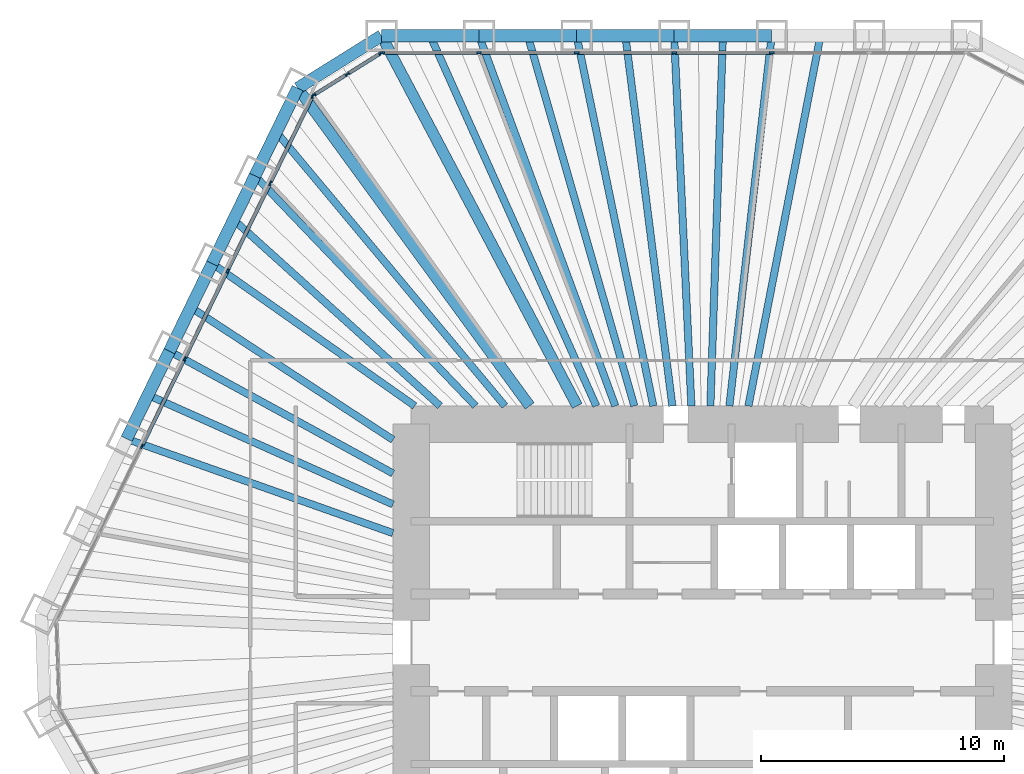
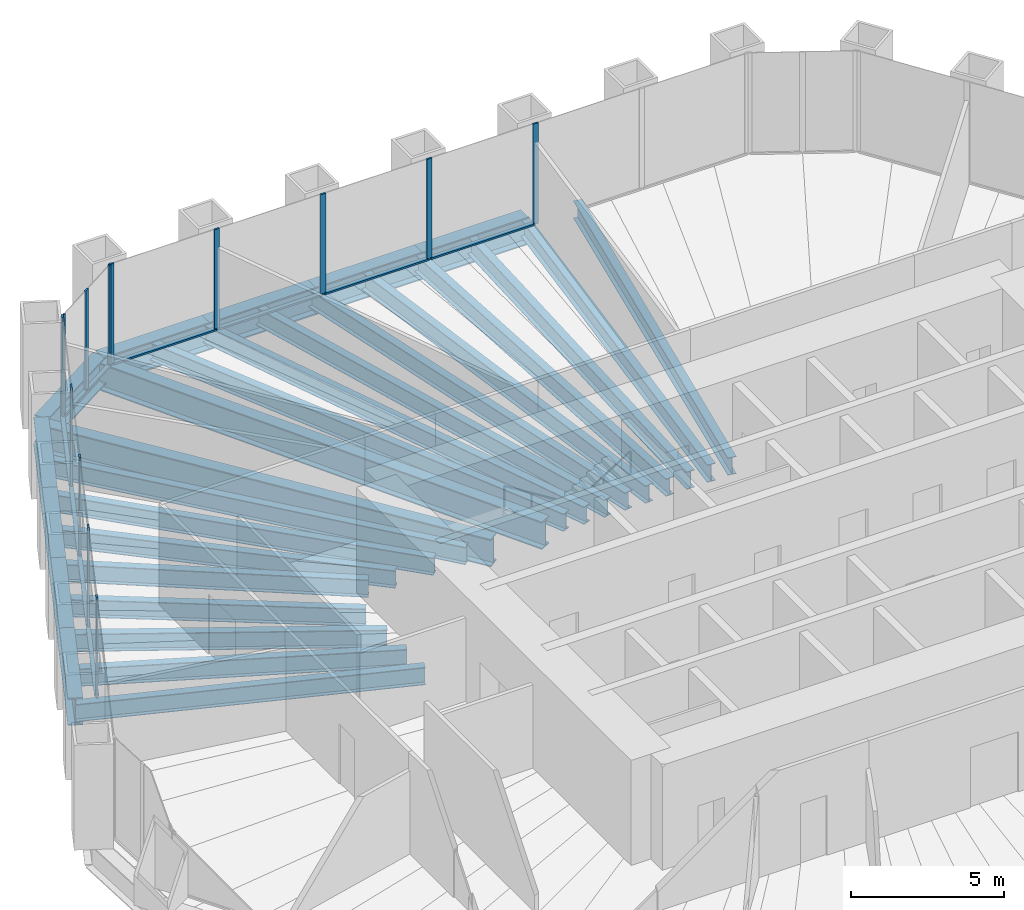
# One storey, part 6 of 13: 28 beams, 23 members, 3 elements without a shape of their own.
"""IFC4 building model written with IfcOpenShell, lengths in metres."""

from ifc_helpers import new_model, si_unit, direction, frame, origin, origin_2d, place, context, subcontext, project, spatial, rectangle, i_section, extrude, material, material_profile, profile_set, type_object, element, aggregate, save


model = new_model("IFC4")

# Units and contexts
model_context = context("Model", 3, precision=1e-05, world=origin(), true_north=direction((0.0, 1.0)))
body_context = subcontext(model_context, "Body", "Model", "MODEL_VIEW")
ifc_project = project(units=[si_unit("LENGTHUNIT", "METRE"), si_unit("AREAUNIT", "SQUARE_METRE"), si_unit("VOLUMEUNIT", "CUBIC_METRE"), si_unit("PLANEANGLEUNIT", "RADIAN"), si_unit("MASSUNIT", "GRAM", prefix="KILO")], contexts=[model_context])

# Site, building, storey
site_placement = place(None, origin())
site = spatial("IfcSite", under=ifc_project, at=site_placement, CompositionType="ELEMENT")
building_placement = place(site_placement, origin())
building = spatial("IfcBuilding", under=site, at=building_placement, Name="Qingtian Harvest Tower", CompositionType="ELEMENT")
storey_placement = place(building_placement, frame((0.0, 0.0, 149.199951171875)))
storey = spatial("IfcBuildingStorey", under=building, at=storey_placement, Name="L31", CompositionType="ELEMENT", Elevation=149.199951171875)

# Beams
ifc_material_1 = material(Name="Steel SM570MC", Category="steel")
ifc_material_profile_1 = material_profile(ifc_material_1, i_section(OverallWidth=0.449951171875, OverallDepth=1.10009765625, WebThickness=0.02197265625, FlangeThickness=0.044921875, at=origin_2d()), Name="H1100x450x22x45")
ifc_profile_set_1 = profile_set([ifc_material_profile_1], Name="Steel SM570MC")
beam_type_1 = type_object("IfcBeamType", Name="Corner floor beam FB8 H1100x450x22x45", PredefinedType="BEAM", material=ifc_profile_set_1)
beam_1_placement = place(storey_placement, frame((-13.2216796875, 25.0, -0.719970703125), z_axis=(0.46750989692, -0.88398783718, 0.0), x_axis=(0.88398783718, 0.46750989692, 0.0)))
element("IfcBeam", 1, at=beam_1_placement, inside=storey, type_object=beam_type_1, Name="Floor beam FB8 N0", PredefinedType="BEAM", context=body_context, shape_type="SweptSolid", body=[
    extrude(i_section(OverallWidth=0.449951171875, OverallDepth=1.10009765625, WebThickness=0.02197265625, FlangeThickness=0.044921875, at=origin_2d()), origin(), (0.0, 0.0, 1.0), 17.25146484375),
])
beam_2_placement = place(storey_placement, frame((-16.673828125, 22.8427734375, -0.719970703125), z_axis=(0.589577703364, -0.807711663712, 0.0), x_axis=(0.807711663712, 0.589577703364, 0.0)))
element("IfcBeam", 2, at=beam_2_placement, inside=storey, type_object=beam_type_1, Name="Floor beam FB8 NW6", PredefinedType="BEAM", context=body_context, shape_type="SweptSolid", body=[
    extrude(i_section(OverallWidth=0.449951171875, OverallDepth=1.10009765625, WebThickness=0.02197265625, FlangeThickness=0.044921875, at=origin_2d()), origin(), (0.0, 0.0, 1.0), 16.209716796875),
])
ifc_material_2 = material(Name="Steel SN490B", Category="steel")
ifc_material_profile_2 = material_profile(ifc_material_2, i_section(OverallWidth=0.300048828125, OverallDepth=0.699951171875, WebThickness=0.012939453125, FlangeThickness=0.02392578125, at=origin_2d()), Name="H700x300x13x24")
ifc_profile_set_2 = profile_set([ifc_material_profile_2], Name="Steel SN490B")
beam_type_2 = type_object("IfcBeamType", Name="Floor beam FB2 H700x300x13x24", PredefinedType="BEAM", material=ifc_profile_set_2)
beam_3_placement = place(storey_placement, frame((-9.20263671875, 25.0, -0.52001953125), z_axis=(0.345440084985, -0.938440806703, 0.0), x_axis=(0.938440806703, 0.345440084985, 0.0)))
element("IfcBeam", 3, at=beam_3_placement, inside=storey, type_object=beam_type_2, Name="Floor beam FB2 N1", PredefinedType="BEAM", context=body_context, shape_type="SweptSolid", body=[
    extrude(i_section(OverallWidth=0.300048828125, OverallDepth=0.699951171875, WebThickness=0.012939453125, FlangeThickness=0.02392578125, at=origin_2d()), origin(), (0.0, 0.0, 1.0), 16.250244140625),
])
beam_4_placement = place(storey_placement, frame((-5.18359375, 25.0, -0.52001953125), z_axis=(0.203032709566, -0.979171955709, 0.0), x_axis=(0.979171955709, 0.203032709566, 0.0)))
element("IfcBeam", 4, at=beam_4_placement, inside=storey, type_object=beam_type_2, Name="Floor beam FB2 N2", PredefinedType="BEAM", context=body_context, shape_type="SweptSolid", body=[
    extrude(i_section(OverallWidth=0.300048828125, OverallDepth=0.699951171875, WebThickness=0.012939453125, FlangeThickness=0.02392578125, at=origin_2d()), origin(), (0.0, 0.0, 1.0), 15.574462890625),
])
beam_5_placement = place(storey_placement, frame((-1.16455078125, 25.0, -0.52001953125), z_axis=(0.046536361684, -0.998916596639, 0.0), x_axis=(0.998916596639, 0.046536361684, 0.0)))
element("IfcBeam", 5, at=beam_5_placement, inside=storey, type_object=beam_type_2, Name="Floor beam FB2 N3", PredefinedType="BEAM", context=body_context, shape_type="SweptSolid", body=[
    extrude(i_section(OverallWidth=0.300048828125, OverallDepth=0.699951171875, WebThickness=0.012939453125, FlangeThickness=0.02392578125, at=origin_2d()), origin(), (0.0, 0.0, 1.0), 15.2666015625),
])
beam_6_placement = place(storey_placement, frame((2.8544921875, 25.0, -0.52001953125), z_axis=(-0.113440722222, -0.993544766249, 0.0), x_axis=(0.993544766249, -0.113440722222, 0.0)))
element("IfcBeam", 6, at=beam_6_placement, inside=storey, type_object=beam_type_2, Name="Floor beam FB2 N4", PredefinedType="BEAM", context=body_context, shape_type="SweptSolid", body=[
    extrude(i_section(OverallWidth=0.300048828125, OverallDepth=0.699951171875, WebThickness=0.012939453125, FlangeThickness=0.02392578125, at=origin_2d()), origin(), (0.0, 0.0, 1.0), 15.34912109375),
])
beam_7_placement = place(storey_placement, frame((-23.72119140625, 8.3935546875, -0.52001953125), z_axis=(0.942723186419, -0.333576068967, 0.0), x_axis=(0.333576068967, 0.942723186419, 0.0)))
element("IfcBeam", 7, at=beam_7_placement, inside=storey, type_object=beam_type_2, Name="Floor beam FB2 NW2", PredefinedType="BEAM", context=body_context, shape_type="SweptSolid", body=[
    extrude(i_section(OverallWidth=0.300048828125, OverallDepth=0.699951171875, WebThickness=0.012939453125, FlangeThickness=0.02392578125, at=origin_2d()), origin(), (0.0, 0.0, 1.0), 11.6376953125),
])
beam_8_placement = place(storey_placement, frame((-21.95947265625, 12.005859375, -0.52001953125), z_axis=(0.877432026785, -0.479700988505, 0.0), x_axis=(0.479700988505, 0.877432026785, 0.0)))
element("IfcBeam", 8, at=beam_8_placement, inside=storey, type_object=beam_type_2, Name="Floor beam FB2 NW3", PredefinedType="BEAM", context=body_context, shape_type="SweptSolid", body=[
    extrude(i_section(OverallWidth=0.300048828125, OverallDepth=0.699951171875, WebThickness=0.012939453125, FlangeThickness=0.02392578125, at=origin_2d()), origin(), (0.0, 0.0, 1.0), 10.495849609375),
])
beam_9_placement = place(storey_placement, frame((-20.197509765625, 15.6181640625, -0.52001953125), z_axis=(0.818080343043, -0.57510394915, 0.0), x_axis=(0.57510394915, 0.818080343043, 0.0)))
element("IfcBeam", 9, at=beam_9_placement, inside=storey, type_object=beam_type_2, Name="Floor beam FB2 NW4", PredefinedType="BEAM", context=body_context, shape_type="SweptSolid", body=[
    extrude(i_section(OverallWidth=0.300048828125, OverallDepth=0.699951171875, WebThickness=0.012939453125, FlangeThickness=0.02392578125, at=origin_2d()), origin(), (0.0, 0.0, 1.0), 10.20361328125),
])
beam_10_placement = place(storey_placement, frame((-18.435791015625, 19.23046875, -0.52001953125), z_axis=(0.69204101057, -0.721858185303, 0.0), x_axis=(0.721858185303, 0.69204101057, 0.0)))
element("IfcBeam", 10, at=beam_10_placement, inside=storey, type_object=beam_type_2, Name="Floor beam FB2 NW5", PredefinedType="BEAM", context=body_context, shape_type="SweptSolid", body=[
    extrude(i_section(OverallWidth=0.300048828125, OverallDepth=0.699951171875, WebThickness=0.012939453125, FlangeThickness=0.02392578125, at=origin_2d()), origin(), (0.0, 0.0, 1.0), 13.13330078125),
])
ifc_material_3 = material(Name="Steel SN490B", Category="steel")
ifc_material_profile_3 = material_profile(ifc_material_3, i_section(OverallWidth=0.300048828125, OverallDepth=0.699951171875, WebThickness=0.012939453125, FlangeThickness=0.02392578125, at=origin_2d()), Name="H700x300x13x24")
ifc_profile_set_3 = profile_set([ifc_material_profile_3], Name="Steel SN490B")
beam_type_3 = type_object("IfcBeamType", Name="Floor joist J2 H700x300x13x24", PredefinedType="JOIST", material=ifc_profile_set_3)
beam_11_placement = place(storey_placement, frame((-11.212158203125, 25.0, -0.52001953125), z_axis=(0.409212761683, -0.912438992852, 0.0), x_axis=(0.912438992852, 0.409212761683, 0.0)))
element("IfcBeam", 11, at=beam_11_placement, inside=storey, type_object=beam_type_3, Name="Floor joist J2 N0", PredefinedType="JOIST", context=body_context, shape_type="SweptSolid", body=[
    extrude(i_section(OverallWidth=0.300048828125, OverallDepth=0.699951171875, WebThickness=0.012939453125, FlangeThickness=0.02392578125, at=origin_2d()), origin(), (0.0, 0.0, 1.0), 16.71337890625),
])
beam_12_placement = place(storey_placement, frame((-7.193115234375, 25.0, -0.52001953125), z_axis=(0.276500682027, -0.961013721462, 0.0), x_axis=(0.961013721462, 0.276500682027, 0.0)))
element("IfcBeam", 12, at=beam_12_placement, inside=storey, type_object=beam_type_3, Name="Floor joist J2 N1", PredefinedType="JOIST", context=body_context, shape_type="SweptSolid", body=[
    extrude(i_section(OverallWidth=0.300048828125, OverallDepth=0.699951171875, WebThickness=0.012939453125, FlangeThickness=0.02392578125, at=origin_2d()), origin(), (0.0, 0.0, 1.0), 15.86865234375),
])
beam_13_placement = place(storey_placement, frame((-3.174072265625, 25.0, -0.52001953125), z_axis=(0.125957899702, -0.992035587821, 0.0), x_axis=(0.992035587821, 0.125957899702, 0.0)))
element("IfcBeam", 13, at=beam_13_placement, inside=storey, type_object=beam_type_3, Name="Floor joist J2 N2", PredefinedType="JOIST", context=body_context, shape_type="SweptSolid", body=[
    extrude(i_section(OverallWidth=0.300048828125, OverallDepth=0.699951171875, WebThickness=0.012939453125, FlangeThickness=0.02392578125, at=origin_2d()), origin(), (0.0, 0.0, 1.0), 15.372314453125),
])
beam_14_placement = place(storey_placement, frame((0.844970703125, 25.0, -0.52001953125), z_axis=(-0.033776183237, -0.999429421943, 0.0), x_axis=(0.999429421943, -0.033776183237, 0.0)))
element("IfcBeam", 14, at=beam_14_placement, inside=storey, type_object=beam_type_3, Name="Floor joist J2 N3", PredefinedType="JOIST", context=body_context, shape_type="SweptSolid", body=[
    extrude(i_section(OverallWidth=0.300048828125, OverallDepth=0.699951171875, WebThickness=0.012939453125, FlangeThickness=0.02392578125, at=origin_2d()), origin(), (0.0, 0.0, 1.0), 15.2587890625),
])
beam_15_placement = place(storey_placement, frame((4.864013671875, 25.0, -0.52001953125), z_axis=(-0.190979017217, -0.981594119269, 0.0), x_axis=(0.981594119269, -0.190979017217, 0.0)))
element("IfcBeam", 15, at=beam_15_placement, inside=storey, type_object=beam_type_3, Name="Floor joist J2 N4", PredefinedType="JOIST", context=body_context, shape_type="SweptSolid", body=[
    extrude(i_section(OverallWidth=0.300048828125, OverallDepth=0.699951171875, WebThickness=0.012939453125, FlangeThickness=0.02392578125, at=origin_2d()), origin(), (0.0, 0.0, 1.0), 15.535888671875),
])
beam_16_placement = place(storey_placement, frame((-22.84033203125, 10.19970703125, -0.52001953125), z_axis=(0.913095877166, -0.407744919162, 0.0), x_axis=(0.407744919162, 0.913095877166, 0.0)))
element("IfcBeam", 16, at=beam_16_placement, inside=storey, type_object=beam_type_3, Name="Floor joist J2 NW2", PredefinedType="JOIST", context=body_context, shape_type="SweptSolid", body=[
    extrude(i_section(OverallWidth=0.300048828125, OverallDepth=0.699951171875, WebThickness=0.012939453125, FlangeThickness=0.02392578125, at=origin_2d()), origin(), (0.0, 0.0, 1.0), 11.05078125),
])
beam_17_placement = place(storey_placement, frame((-21.078369140625, 13.81201171875, -0.52001953125), z_axis=(0.836426246046, -0.548079496903, 0.0), x_axis=(0.548079496903, 0.836426246046, 0.0)))
element("IfcBeam", 17, at=beam_17_placement, inside=storey, type_object=beam_type_3, Name="Floor joist J2 NW3", PredefinedType="JOIST", context=body_context, shape_type="SweptSolid", body=[
    extrude(i_section(OverallWidth=0.300048828125, OverallDepth=0.699951171875, WebThickness=0.012939453125, FlangeThickness=0.02392578125, at=origin_2d()), origin(), (0.0, 0.0, 1.0), 9.95703125),
])
beam_18_placement = place(storey_placement, frame((-19.316650390625, 17.42431640625, -0.52001953125), z_axis=(0.742543540775, -0.669797797886, 0.0), x_axis=(0.669797797886, 0.742543540775, 0.0)))
element("IfcBeam", 18, at=beam_18_placement, inside=storey, type_object=beam_type_3, Name="Floor joist J2 NW4", PredefinedType="JOIST", context=body_context, shape_type="SweptSolid", body=[
    extrude(i_section(OverallWidth=0.300048828125, OverallDepth=0.699951171875, WebThickness=0.012939453125, FlangeThickness=0.02392578125, at=origin_2d()), origin(), (0.0, 0.0, 1.0), 11.457763671875),
])
beam_19_placement = place(storey_placement, frame((-17.5546875, 21.03662109375, -0.52001953125), z_axis=(0.640703730007, -0.767788206704, 0.0), x_axis=(0.767788206704, 0.640703730007, 0.0)))
element("IfcBeam", 19, at=beam_19_placement, inside=storey, type_object=beam_type_3, Name="Floor joist J2 NW5", PredefinedType="JOIST", context=body_context, shape_type="SweptSolid", body=[
    extrude(i_section(OverallWidth=0.300048828125, OverallDepth=0.699951171875, WebThickness=0.012939453125, FlangeThickness=0.02392578125, at=origin_2d()), origin(), (0.0, 0.0, 1.0), 14.7001953125),
])

# Curtain wall, members
ifc_material_4 = material(Name="Bronze-anodised aluminium curtain wall", Category="aluminium")
curtain_wall_type = type_object("IfcCurtainWallType", Name="Curtain wall CW4 office", PredefinedType="USERDEFINED", material=ifc_material_4)
curtain_wall_1_placement = place(storey_placement, origin())
curtain_wall_1 = element("IfcCurtainWall", 20, at=curtain_wall_1_placement, inside=storey, type_object=curtain_wall_type, Name="Curtain wall CW4 L31 N0-5", ObjectType="RECESSED CURTAIN WALL", PredefinedType="USERDEFINED")
ifc_material_5 = material(Name="Bronze-anodised aluminium mullion", Category="aluminium")
ifc_material_profile_4 = material_profile(ifc_material_5, rectangle(XDim=0.06494140625, YDim=0.199951171875, at=origin_2d()), Name="AL 65x200")
ifc_profile_set_4 = profile_set([ifc_material_profile_4], Name="Bronze-anodised aluminium mullion")
member_type_1 = type_object("IfcMemberType", Name="Mullion CWM 65x200", PredefinedType="MULLION", material=ifc_profile_set_4)
member_1_placement = place(storey_placement, frame((-13.189208984375, 24.300048828125, 0.0), z_axis=(0.0, 0.0, 1.0), x_axis=(0.0, 1.0, 0.0)))
member_1 = element("IfcMember", 21, at=member_1_placement, type_object=member_type_1, Name="CW4 mullion 1", PredefinedType="MULLION", context=body_context, shape_type="SweptSolid", body=[
    extrude(rectangle(XDim=0.06494140625, YDim=0.199951171875, at=origin_2d()), origin(), (0.0, 0.0, 1.0), 4.030029296875),
])
member_2_placement = place(storey_placement, frame((-9.20263671875, 24.300048828125, 0.0), z_axis=(0.0, 0.0, 1.0), x_axis=(0.0, 1.0, 0.0)))
member_2 = element("IfcMember", 22, at=member_2_placement, type_object=member_type_1, Name="CW4 mullion 2", PredefinedType="MULLION", context=body_context, shape_type="SweptSolid", body=[
    extrude(rectangle(XDim=0.06494140625, YDim=0.199951171875, at=origin_2d()), origin(), (0.0, 0.0, 1.0), 4.030029296875),
])
member_3_placement = place(storey_placement, frame((-5.18359375, 24.300048828125, 0.0), z_axis=(0.0, 0.0, 1.0), x_axis=(0.0, 1.0, 0.0)))
member_3 = element("IfcMember", 23, at=member_3_placement, type_object=member_type_1, Name="CW4 mullion 3", PredefinedType="MULLION", context=body_context, shape_type="SweptSolid", body=[
    extrude(rectangle(XDim=0.06494140625, YDim=0.199951171875, at=origin_2d()), origin(), (0.0, 0.0, 1.0), 4.030029296875),
])
member_4_placement = place(storey_placement, frame((-1.16455078125, 24.300048828125, 0.0), z_axis=(0.0, 0.0, 1.0), x_axis=(0.0, 1.0, 0.0)))
member_4 = element("IfcMember", 24, at=member_4_placement, type_object=member_type_1, Name="CW4 mullion 4", PredefinedType="MULLION", context=body_context, shape_type="SweptSolid", body=[
    extrude(rectangle(XDim=0.06494140625, YDim=0.199951171875, at=origin_2d()), origin(), (0.0, 0.0, 1.0), 4.030029296875),
])
member_5_placement = place(storey_placement, frame((2.8544921875, 24.300048828125, 0.0), z_axis=(0.0, 0.0, 1.0), x_axis=(0.0, 1.0, 0.0)))
member_5 = element("IfcMember", 25, at=member_5_placement, type_object=member_type_1, Name="CW4 mullion 5", PredefinedType="MULLION", context=body_context, shape_type="SweptSolid", body=[
    extrude(rectangle(XDim=0.06494140625, YDim=0.199951171875, at=origin_2d()), origin(), (0.0, 0.0, 1.0), 4.030029296875),
])

curtain_wall_2_placement = place(storey_placement, origin())
curtain_wall_2 = element("IfcCurtainWall", 26, at=curtain_wall_2_placement, inside=storey, type_object=curtain_wall_type, Name="Curtain wall CW4 L31 NW0-5", ObjectType="RECESSED CURTAIN WALL", PredefinedType="USERDEFINED")
member_6_placement = place(storey_placement, frame((-23.092041015625, 8.086669921875, 0.0), z_axis=(0.0, 0.0, 1.0), x_axis=(-0.898794046299, 0.438371146789, 0.0)))
member_6 = element("IfcMember", 27, at=member_6_placement, type_object=member_type_1, Name="CW4 mullion 3", PredefinedType="MULLION", context=body_context, shape_type="SweptSolid", body=[
    extrude(rectangle(XDim=0.06494140625, YDim=0.199951171875, at=origin_2d()), origin(), (0.0, 0.0, 1.0), 4.030029296875),
])
member_7_placement = place(storey_placement, frame((-21.330322265625, 11.698974609375, 0.0), z_axis=(0.0, 0.0, 1.0), x_axis=(-0.898794046299, 0.438371146789, 0.0)))
member_7 = element("IfcMember", 28, at=member_7_placement, type_object=member_type_1, Name="CW4 mullion 4", PredefinedType="MULLION", context=body_context, shape_type="SweptSolid", body=[
    extrude(rectangle(XDim=0.06494140625, YDim=0.199951171875, at=origin_2d()), origin(), (0.0, 0.0, 1.0), 4.030029296875),
])
member_8_placement = place(storey_placement, frame((-19.568359375, 15.311279296875, 0.0), z_axis=(0.0, 0.0, 1.0), x_axis=(-0.898794046299, 0.438371146789, 0.0)))
member_8 = element("IfcMember", 29, at=member_8_placement, type_object=member_type_1, Name="CW4 mullion 5", PredefinedType="MULLION", context=body_context, shape_type="SweptSolid", body=[
    extrude(rectangle(XDim=0.06494140625, YDim=0.199951171875, at=origin_2d()), origin(), (0.0, 0.0, 1.0), 4.030029296875),
])
member_9_placement = place(storey_placement, frame((-17.806396484375, 18.923828125, 0.0), z_axis=(0.0, 0.0, 1.0), x_axis=(-0.898794046299, 0.438371146789, 0.0)))
member_9 = element("IfcMember", 30, at=member_9_placement, type_object=member_type_1, Name="CW4 mullion 6", PredefinedType="MULLION", context=body_context, shape_type="SweptSolid", body=[
    extrude(rectangle(XDim=0.06494140625, YDim=0.199951171875, at=origin_2d()), origin(), (0.0, 0.0, 1.0), 4.030029296875),
])
member_10_placement = place(storey_placement, frame((-16.058837890625, 22.5068359375, 0.0), z_axis=(0.0, 0.0, 1.0), x_axis=(-0.898794046299, 0.438371146789, 0.0)))
member_10 = element("IfcMember", 31, at=member_10_placement, type_object=member_type_1, Name="CW4 mullion 7", PredefinedType="MULLION", context=body_context, shape_type="SweptSolid", body=[
    extrude(rectangle(XDim=0.06494140625, YDim=0.199951171875, at=origin_2d()), origin(), (0.0, 0.0, 1.0), 4.030029296875),
])

curtain_wall_3_placement = place(storey_placement, origin())
curtain_wall_3 = element("IfcCurtainWall", 32, at=curtain_wall_3_placement, inside=storey, type_object=curtain_wall_type, Name="Curtain wall CW4 L31 NWC", ObjectType="RECESSED CURTAIN WALL", PredefinedType="USERDEFINED")
member_11_placement = place(storey_placement, frame((-16.01708984375, 22.55322265625, 0.0), z_axis=(0.0, 0.0, 1.0), x_axis=(-0.529919264233, 0.848048096156, 0.0)))
member_11 = element("IfcMember", 33, at=member_11_placement, type_object=member_type_1, Name="CW4 mullion 1", PredefinedType="MULLION", context=body_context, shape_type="SweptSolid", body=[
    extrude(rectangle(XDim=0.06494140625, YDim=0.199951171875, at=origin_2d()), origin(), (0.0, 0.0, 1.0), 4.030029296875),
])
member_12_placement = place(storey_placement, frame((-14.63330078125, 23.41796875, 0.0), z_axis=(0.0, 0.0, 1.0), x_axis=(-0.529919264233, 0.848048096156, 0.0)))
member_12 = element("IfcMember", 34, at=member_12_placement, type_object=member_type_1, Name="CW4 mullion 2", PredefinedType="MULLION", context=body_context, shape_type="SweptSolid", body=[
    extrude(rectangle(XDim=0.06494140625, YDim=0.199951171875, at=origin_2d()), origin(), (0.0, 0.0, 1.0), 4.030029296875),
])
member_13_placement = place(storey_placement, frame((-13.249267578125, 24.28271484375, 0.0), z_axis=(0.0, 0.0, 1.0), x_axis=(-0.529919264233, 0.848048096156, 0.0)))
member_13 = element("IfcMember", 35, at=member_13_placement, type_object=member_type_1, Name="CW4 mullion 3", PredefinedType="MULLION", context=body_context, shape_type="SweptSolid", body=[
    extrude(rectangle(XDim=0.06494140625, YDim=0.199951171875, at=origin_2d()), origin(), (0.0, 0.0, 1.0), 4.030029296875),
])

# Beams
ifc_material_6 = material(Name="Steel SM570MC", Category="steel")
ifc_material_profile_5 = material_profile(ifc_material_6, i_section(OverallWidth=0.5, OverallDepth=1.10009765625, WebThickness=0.02490234375, FlangeThickness=0.050048828125, at=origin_2d()), Name="H1100x500x25x50")
ifc_profile_set_5 = profile_set([ifc_material_profile_5], Name="Steel SM570MC")
beam_type_4 = type_object("IfcBeamType", Name="Spandrel beam SB2 H1100x500x25x50", PredefinedType="SPANDREL", material=ifc_profile_set_5)
for number, where, z_axis, x_axis, name in (
    (36, (-13.2216796875, 25.0, -0.550048828125), (1.0, 0.0, 0.0), (0.0, 1.0, 0.0), "Spandrel SB2 N0"),
    (37, (-9.20263671875, 25.0, -0.550048828125), (1.0, 0.0, 0.0), (0.0, 1.0, 0.0), "Spandrel SB2 N1"),
    (38, (-5.18359375, 25.0, -0.550048828125), (1.0, 0.0, 0.0), (0.0, 1.0, 0.0), "Spandrel SB2 N2"),
    (39, (-1.16455078125, 25.0, -0.550048828125), (1.0, 0.0, 0.0), (0.0, 1.0, 0.0), "Spandrel SB2 N3"),
    (40, (-23.72119140625, 8.3935546875, -0.550048828125), (0.438347033158, 0.898805806902, 0.0), (-0.898805806902, 0.438347033158, 0.0), "Spandrel SB2 NW2"),
    (41, (-21.95947265625, 12.005859375, -0.550048828125), (0.438396105405, 0.89878187274, 0.0), (-0.89878187274, 0.438396105405, 0.0), "Spandrel SB2 NW3"),
    (42, (-20.197509765625, 15.6181640625, -0.550048828125), (0.438347033158, 0.898805806902, 0.0), (-0.898805806902, 0.438347033158, 0.0), "Spandrel SB2 NW4"),
    (43, (-18.435791015625, 19.23046875, -0.550048828125), (0.438396105405, 0.89878187274, 0.0), (-0.89878187274, 0.438396105405, 0.0), "Spandrel SB2 NW5"),
):
    element("IfcBeam", number, at=place(storey_placement, frame(where, z_axis=z_axis, x_axis=x_axis)), inside=storey, type_object=beam_type_4, Name=name, PredefinedType="SPANDREL", context=body_context, shape_type="SweptSolid", body=[
        extrude(i_section(OverallWidth=0.5, OverallDepth=1.10009765625, WebThickness=0.02490234375, FlangeThickness=0.050048828125, at=origin_2d()), origin(), (0.0, 0.0, 1.0), 4.01904296875),
    ])
beam_20_placement = place(storey_placement, frame((-16.673828125, 22.8427734375, -0.550048828125), z_axis=(0.848038733752, 0.529934246919, 0.0), x_axis=(-0.529934246919, 0.848038733752, 0.0)))
element("IfcBeam", 44, at=beam_20_placement, inside=storey, type_object=beam_type_4, Name="Spandrel SB2 NWC", PredefinedType="SPANDREL", context=body_context, shape_type="SweptSolid", body=[
    extrude(i_section(OverallWidth=0.5, OverallDepth=1.10009765625, WebThickness=0.02490234375, FlangeThickness=0.050048828125, at=origin_2d()), origin(), (0.0, 0.0, 1.0), 4.07080078125),
])

# Member
ifc_material_7 = material(Name="Bronze-anodised aluminium transom", Category="aluminium")
ifc_material_profile_6 = material_profile(ifc_material_7, rectangle(XDim=0.14990234375, YDim=0.06494140625, at=origin_2d()), Name="AL 65x150")
ifc_profile_set_6 = profile_set([ifc_material_profile_6], Name="Bronze-anodised aluminium transom")
member_type_2 = type_object("IfcMemberType", Name="Transom CWT 65x150", PredefinedType="USERDEFINED", material=ifc_profile_set_6)
member_14_placement = place(storey_placement, frame((-13.15673828125, 24.300048828125, 0.032470703125), z_axis=(1.0, 0.0, 0.0), x_axis=(0.0, 1.0, 0.0)))
member_14 = element("IfcMember", 45, at=member_14_placement, type_object=member_type_2, Name="CW4 transom 1.1", ObjectType="TRANSOM", PredefinedType="USERDEFINED", context=body_context, shape_type="SweptSolid", body=[
    extrude(rectangle(XDim=0.14990234375, YDim=0.06494140625, at=origin_2d()), origin(), (0.0, 0.0, 1.0), 3.921630859375),
])

member_15_placement = place(storey_placement, frame((-9.170166015625, 24.300048828125, 0.032470703125), z_axis=(1.0, 0.0, 0.0), x_axis=(0.0, 1.0, 0.0)))
member_15 = element("IfcMember", 46, at=member_15_placement, type_object=member_type_2, Name="CW4 transom 2.1", ObjectType="TRANSOM", PredefinedType="USERDEFINED", context=body_context, shape_type="SweptSolid", body=[
    extrude(rectangle(XDim=0.14990234375, YDim=0.06494140625, at=origin_2d()), origin(), (0.0, 0.0, 1.0), 3.9541015625),
])

member_16_placement = place(storey_placement, frame((-5.151123046875, 24.300048828125, 0.032470703125), z_axis=(1.0, 0.0, 0.0), x_axis=(0.0, 1.0, 0.0)))
member_16 = element("IfcMember", 47, at=member_16_placement, type_object=member_type_2, Name="CW4 transom 3.1", ObjectType="TRANSOM", PredefinedType="USERDEFINED", context=body_context, shape_type="SweptSolid", body=[
    extrude(rectangle(XDim=0.14990234375, YDim=0.06494140625, at=origin_2d()), origin(), (0.0, 0.0, 1.0), 3.9541015625),
])

member_17_placement = place(storey_placement, frame((-1.132080078125, 24.300048828125, 0.032470703125), z_axis=(1.0, 0.0, 0.0), x_axis=(0.0, 1.0, 0.0)))
member_17 = element("IfcMember", 48, at=member_17_placement, type_object=member_type_2, Name="CW4 transom 4.1", ObjectType="TRANSOM", PredefinedType="USERDEFINED", context=body_context, shape_type="SweptSolid", body=[
    extrude(rectangle(XDim=0.14990234375, YDim=0.06494140625, at=origin_2d()), origin(), (0.0, 0.0, 1.0), 3.9541015625),
])

aggregate(curtain_wall_1, [member_1, member_2, member_3, member_4, member_5, member_14, member_15, member_16, member_17])

member_18_placement = place(storey_placement, frame((-23.077880859375, 8.115966796875, 0.032470703125), z_axis=(0.438374972828, 0.898792180205, 0.0), x_axis=(-0.898792180205, 0.438374972828, 0.0)))
member_18 = element("IfcMember", 49, at=member_18_placement, type_object=member_type_2, Name="CW4 transom 3.1", ObjectType="TRANSOM", PredefinedType="USERDEFINED", context=body_context, shape_type="SweptSolid", body=[
    extrude(rectangle(XDim=0.14990234375, YDim=0.06494140625, at=origin_2d()), origin(), (0.0, 0.0, 1.0), 3.9541015625),
])

member_19_placement = place(storey_placement, frame((-21.31591796875, 11.728271484375, 0.032470703125), z_axis=(0.438374972828, 0.898792180205, 0.0), x_axis=(-0.898792180205, 0.438374972828, 0.0)))
member_19 = element("IfcMember", 50, at=member_19_placement, type_object=member_type_2, Name="CW4 transom 4.1", ObjectType="TRANSOM", PredefinedType="USERDEFINED", context=body_context, shape_type="SweptSolid", body=[
    extrude(rectangle(XDim=0.14990234375, YDim=0.06494140625, at=origin_2d()), origin(), (0.0, 0.0, 1.0), 3.9541015625),
])

member_20_placement = place(storey_placement, frame((-19.55419921875, 15.340576171875, 0.032470703125), z_axis=(0.438374972828, 0.898792180205, 0.0), x_axis=(-0.898792180205, 0.438374972828, 0.0)))
member_20 = element("IfcMember", 51, at=member_20_placement, type_object=member_type_2, Name="CW4 transom 5.1", ObjectType="TRANSOM", PredefinedType="USERDEFINED", context=body_context, shape_type="SweptSolid", body=[
    extrude(rectangle(XDim=0.14990234375, YDim=0.06494140625, at=origin_2d()), origin(), (0.0, 0.0, 1.0), 3.9541015625),
])

member_21_placement = place(storey_placement, frame((-17.792236328125, 18.952880859375, 0.032470703125), z_axis=(0.438351261745, 0.898803744611, 0.0), x_axis=(-0.898803744611, 0.438351261745, 0.0)))
member_21 = element("IfcMember", 52, at=member_21_placement, type_object=member_type_2, Name="CW4 transom 6.1", ObjectType="TRANSOM", PredefinedType="USERDEFINED", context=body_context, shape_type="SweptSolid", body=[
    extrude(rectangle(XDim=0.14990234375, YDim=0.06494140625, at=origin_2d()), origin(), (0.0, 0.0, 1.0), 3.92138671875),
])

aggregate(curtain_wall_2, [member_6, member_7, member_8, member_9, member_10, member_18, member_19, member_20, member_21])

member_22_placement = place(storey_placement, frame((-15.989501953125, 22.570556640625, 0.032470703125), z_axis=(0.848059570903, 0.529900900357, 0.0), x_axis=(-0.529900900357, 0.848059570903, 0.0)))
member_22 = element("IfcMember", 53, at=member_22_placement, type_object=member_type_2, Name="CW4 transom 1.1", ObjectType="TRANSOM", PredefinedType="USERDEFINED", context=body_context, shape_type="SweptSolid", body=[
    extrude(rectangle(XDim=0.14990234375, YDim=0.06494140625, at=origin_2d()), origin(), (0.0, 0.0, 1.0), 1.56689453125),
])

member_23_placement = place(storey_placement, frame((-14.605712890625, 23.435302734375, 0.032470703125), z_axis=(0.848059570903, 0.529900900357, 0.0), x_axis=(-0.529900900357, 0.848059570903, 0.0)))
member_23 = element("IfcMember", 54, at=member_23_placement, type_object=member_type_2, Name="CW4 transom 2.1", ObjectType="TRANSOM", PredefinedType="USERDEFINED", context=body_context, shape_type="SweptSolid", body=[
    extrude(rectangle(XDim=0.14990234375, YDim=0.06494140625, at=origin_2d()), origin(), (0.0, 0.0, 1.0), 1.56689453125),
])

aggregate(curtain_wall_3, [member_11, member_12, member_13, member_22, member_23])

save(model, "model.ifc")
